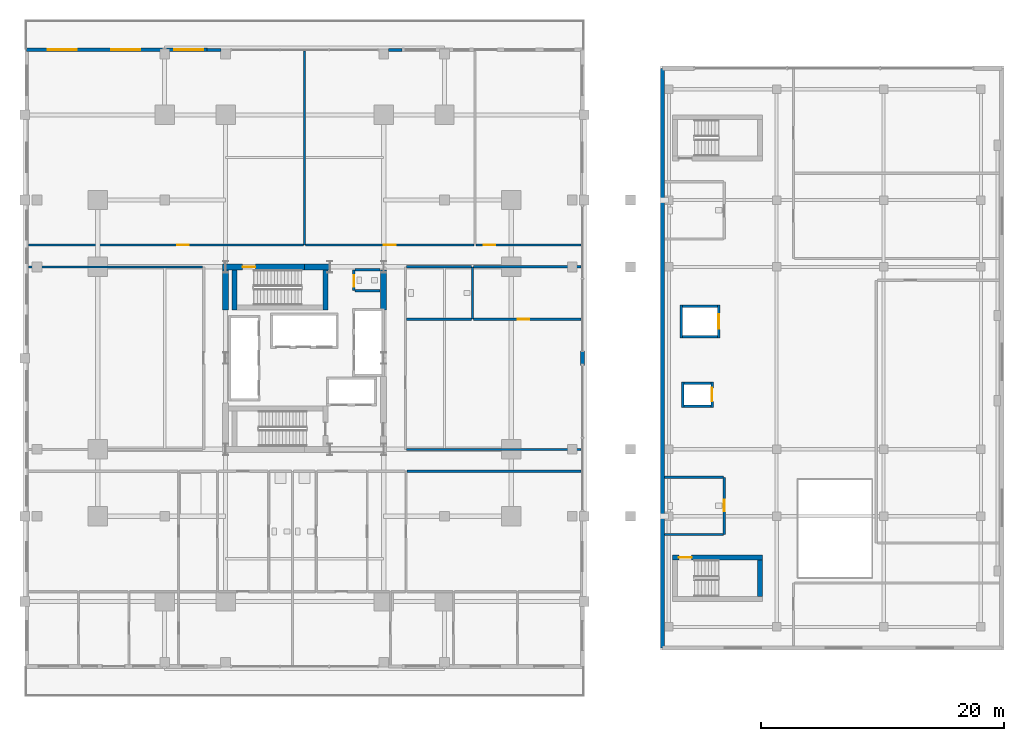
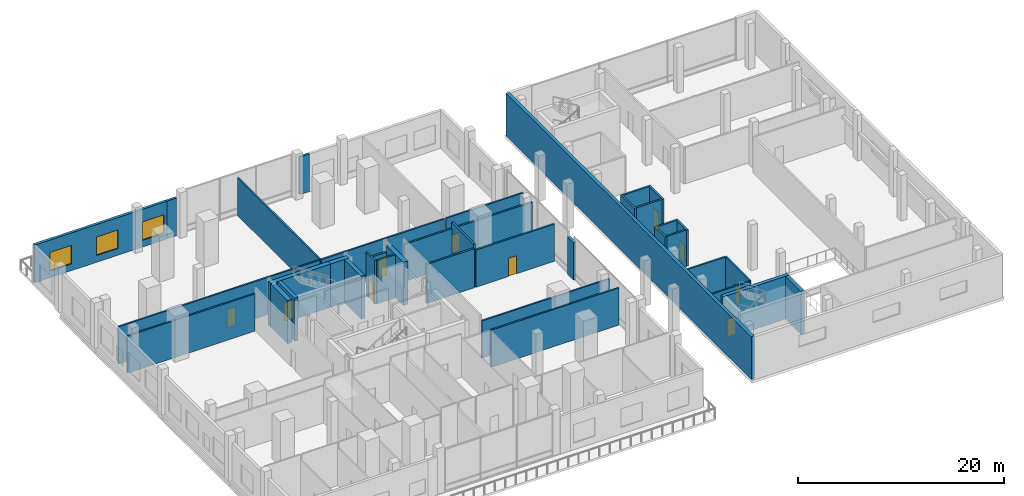
# One storey, part 23 of 32: 39 walls, 10 doors, 3 windows, 13 openings.
"""IFC4 building model written with IfcOpenShell, lengths in metres."""

from ifc_helpers import new_model, si_unit, direction, frame, frame_2d, origin, place, context, subcontext, project, spatial, rectangle, extrude, material, layer, layer_set, type_object, element, fill, save


model = new_model("IFC4")

# Units and contexts
model_context = context("Model", 3, precision=1e-05, world=origin(), true_north=direction((0.0, 1.0)))
body_context = subcontext(model_context, "Body", "Model", "MODEL_VIEW")
ifc_project = project(units=[si_unit("LENGTHUNIT", "METRE"), si_unit("AREAUNIT", "SQUARE_METRE"), si_unit("VOLUMEUNIT", "CUBIC_METRE"), si_unit("PLANEANGLEUNIT", "RADIAN"), si_unit("MASSUNIT", "GRAM", prefix="KILO")], contexts=[model_context])

# Site, building, storey
site_placement = place(None, origin())
site = spatial("IfcSite", under=ifc_project, at=site_placement, CompositionType="ELEMENT")
building_placement = place(site_placement, origin())
building = spatial("IfcBuilding", under=site, at=building_placement, Name="Barlavira Tower and Art Museum", CompositionType="ELEMENT")
storey_placement = place(building_placement, frame((0.0, 0.0, 6.0)))
storey = spatial("IfcBuildingStorey", under=building, at=storey_placement, Name="L01", CompositionType="ELEMENT", Elevation=6.0)

# Wall, opening, door
ifc_material_1 = material(Name="Concrete C60", Category="concrete")
ifc_layer_1 = layer(ifc_material_1, 0.5, Name="Concrete C60")
ifc_layer_set_1 = layer_set([ifc_layer_1], Name="Concrete C60")
wall_type_1 = type_object("IfcWallType", Name="Core Structural Shear Wall 500 Concrete C60", PredefinedType="SHEAR", material=ifc_layer_set_1)
wall_1_placement = place(storey_placement, frame((-6.75, 7.5, 0.0), z_axis=(0.0, 0.0, 1.0), x_axis=(1.0, 0.0, 0.0)))
wall_1 = element("IfcWall", 1, at=wall_1_placement, inside=storey, type_object=wall_type_1, Name="L01 Core Shear Wall CS-NW", PredefinedType="SHEAR", context=body_context, shape_type="SweptSolid", body=[
    extrude(rectangle(XDim=6.75, YDim=0.5, at=frame_2d((3.375, 0.0))), origin(), (0.0, 0.0, 1.0), 5.1201171875),
])
opening_1_placement = place(wall_1_placement, frame((1.64990234375, 0.0, 0.0)))
opening_1 = element("IfcOpeningElement", 2, at=opening_1_placement, cuts=wall_1, Name="Opening FD-90", PredefinedType="OPENING", context=body_context, shape_type="SweptSolid", body=[
    extrude(rectangle(XDim=1.050048828125, YDim=2.14990234375, at=frame_2d((0.52490234375, 1.074951171875))), frame((0.0, 0.260009765625, 0.0), z_axis=(0.0, -1.0, 0.0), x_axis=(1.0, 0.0, 0.0)), (0.0, 0.0, 1.0), 0.52001953125),
])
ifc_material_2 = material(Name="Brushed stainless steel", Category="steel")
door_type_1 = type_object("IfcDoorType", Name="Stair and Refuge Fire Door 1050x2150 FD90S", OperationType="NOTDEFINED", PredefinedType="DOOR", material=ifc_material_2)
door_1_placement = place(opening_1_placement, origin())
door_1 = element("IfcDoor", 3, at=door_1_placement, inside=storey, type_object=door_type_1, Name="L01 Stair ST-T2 Fire Door", OperationType="SINGLE_SWING_LEFT", OverallHeight=2.14990234375, OverallWidth=1.050048828125, PredefinedType="DOOR", context=body_context, shape_type="SweptSolid", body=[
    extrude(rectangle(XDim=1.050048828125, YDim=2.14990234375, at=frame_2d((0.52490234375, 1.074951171875))), frame((0.0, 0.02490234375, 0.0), z_axis=(0.0, -1.0, 0.0), x_axis=(1.0, 0.0, 0.0)), (0.0, 0.0, 1.0), 0.050048828125),
])
fill(opening_1, door_1)

# Walls
wall_2_placement = place(storey_placement, frame((0.0, 7.5, 0.0), z_axis=(0.0, 0.0, 1.0), x_axis=(1.0, 0.0, 0.0)))
element("IfcWall", 4, at=wall_2_placement, inside=storey, type_object=wall_type_1, Name="L01 Core Shear Wall CS-EN", PredefinedType="SHEAR", context=body_context, shape_type="SweptSolid", body=[
    extrude(rectangle(XDim=2.080078125, YDim=0.5, at=frame_2d((1.0400390625, 0.0))), origin(), (0.0, 0.0, 1.0), 5.1201171875),
])
for number, where, z_axis, x_axis, name in (
    (5, (-6.5, 3.949951171875, 0.0), (0.0, 0.0, 1.0), (0.0, 1.0, 0.0), "L01 Core Shear Wall CS-W2"),
    (6, (6.5, 3.949951171875, 0.0), (0.0, 0.0, 1.0), (0.0, 1.0, 0.0), "L01 Core Shear Wall CS-E2"),
):
    element("IfcWall", number, at=place(storey_placement, frame(where, z_axis=z_axis, x_axis=x_axis)), inside=storey, type_object=wall_type_1, Name=name, PredefinedType="SHEAR", context=body_context, shape_type="SweptSolid", body=[
        extrude(rectangle(XDim=3.300048828125, YDim=0.5, at=frame_2d((1.64990234375, 0.0))), origin(), (0.0, 0.0, 1.0), 5.1201171875),
    ])

# Wall, opening, door
ifc_material_3 = material(Name="Autoclaved aerated concrete masonry", Category="masonry")
ifc_layer_2 = layer(ifc_material_3, 0.199951171875, Name="Autoclaved aerated concrete masonry")
ifc_layer_set_2 = layer_set([ifc_layer_2], Name="Autoclaved aerated concrete masonry")
wall_type_2 = type_object("IfcWallType", Name="Fire Compartment and Shaft Wall 200", PredefinedType="SOLIDWALL", material=ifc_layer_set_2)
wall_3_placement = place(storey_placement, frame((33.5, -4.050048828125, 0.0), z_axis=(0.0, 0.0, 1.0), x_axis=(0.0, 1.0, 0.0)))
wall_3 = element("IfcWall", 7, at=wall_3_placement, inside=storey, type_object=wall_type_2, Name="L01 Museum Lift ML1 Front Wall", PredefinedType="SOLIDWALL", context=body_context, shape_type="SweptSolid", body=[
    extrude(rectangle(XDim=2.10009765625, YDim=0.199951171875, at=frame_2d((1.050048828125, 0.0))), origin(), (0.0, 0.0, 1.0), 4.297119140625),
])
opening_2_placement = place(wall_3_placement, frame((0.5, 0.0, 0.0)))
opening_2 = element("IfcOpeningElement", 8, at=opening_2_placement, cuts=wall_3, Name="Opening LD-P", PredefinedType="OPENING", context=body_context, shape_type="SweptSolid", body=[
    extrude(rectangle(XDim=1.10009765625, YDim=2.14990234375, at=frame_2d((0.550048828125, 1.074951171875))), frame((0.0, 0.10986328125, 0.0), z_axis=(0.0, -1.0, 0.0), x_axis=(1.0, 0.0, 0.0)), (0.0, 0.0, 1.0), 0.219970703125),
])
door_type_2 = type_object("IfcDoorType", Name="Passenger Lift Sliding Landing Door 1100x2150 FD60", OperationType="NOTDEFINED", PredefinedType="DOOR", material=ifc_material_2)
door_2_placement = place(opening_2_placement, origin())
door_2 = element("IfcDoor", 9, at=door_2_placement, inside=storey, type_object=door_type_2, Name="L01 Museum Lift ML1 Sliding Landing Door", OperationType="DOUBLE_DOOR_SLIDING", OverallHeight=2.14990234375, OverallWidth=1.10009765625, PredefinedType="DOOR", context=body_context, shape_type="SweptSolid", body=[
    extrude(rectangle(XDim=1.10009765625, YDim=2.14990234375, at=frame_2d((0.550048828125, 1.074951171875))), frame((0.0, 0.02490234375, 0.0), z_axis=(0.0, -1.0, 0.0), x_axis=(1.0, 0.0, 0.0)), (0.0, 0.0, 1.0), 0.050048828125),
])
fill(opening_2, door_2)

# Walls
wall_4_placement = place(storey_placement, frame((31.10009765625, -4.050048828125, 0.0), z_axis=(0.0, 0.0, 1.0), x_axis=(0.0, 1.0, 0.0)))
element("IfcWall", 10, at=wall_4_placement, inside=storey, type_object=wall_type_2, Name="L01 Museum Lift ML1 Back Wall", PredefinedType="SOLIDWALL", context=body_context, shape_type="SweptSolid", body=[
    extrude(rectangle(XDim=2.10009765625, YDim=0.199951171875, at=frame_2d((1.050048828125, 0.0))), origin(), (0.0, 0.0, 1.0), 4.297119140625),
])
for number, where, z_axis, x_axis, name in (
    (11, (31.199951171875, -3.949951171875, 0.0), (0.0, 0.0, 1.0), (1.0, 0.0, 0.0), "L01 Museum Lift ML1 South Wall"),
    (12, (31.199951171875, -2.050048828125, 0.0), (0.0, 0.0, 1.0), (1.0, 0.0, 0.0), "L01 Museum Lift ML1 North Wall"),
):
    element("IfcWall", number, at=place(storey_placement, frame(where, z_axis=z_axis, x_axis=x_axis)), inside=storey, type_object=wall_type_2, Name=name, PredefinedType="SOLIDWALL", context=body_context, shape_type="SweptSolid", body=[
        extrude(rectangle(XDim=2.199951171875, YDim=0.199951171875, at=frame_2d((1.10009765625, 0.0))), origin(), (0.0, 0.0, 1.0), 4.297119140625),
    ])

# Wall, opening, door
wall_5_placement = place(storey_placement, frame((34.050048828125, 1.64990234375, 0.0), z_axis=(0.0, 0.0, 1.0), x_axis=(0.0, 1.0, 0.0)))
wall_5 = element("IfcWall", 13, at=wall_5_placement, inside=storey, type_object=wall_type_2, Name="L01 Museum Lift MG1 Front Wall", PredefinedType="SOLIDWALL", context=body_context, shape_type="SweptSolid", body=[
    extrude(rectangle(XDim=2.7001953125, YDim=0.199951171875, at=frame_2d((1.35009765625, 0.0))), origin(), (0.0, 0.0, 1.0), 4.297119140625),
])
opening_3_placement = place(wall_5_placement, frame((0.75, 0.0, 0.0)))
opening_3 = element("IfcOpeningElement", 14, at=opening_3_placement, cuts=wall_5, Name="Opening LD-F", PredefinedType="OPENING", context=body_context, shape_type="SweptSolid", body=[
    extrude(rectangle(XDim=1.199951171875, YDim=2.199951171875, at=frame_2d((0.60009765625, 1.10009765625))), frame((0.0, 0.10986328125, 0.0), z_axis=(0.0, -1.0, 0.0), x_axis=(1.0, 0.0, 0.0)), (0.0, 0.0, 1.0), 0.219970703125),
])
door_type_3 = type_object("IfcDoorType", Name="Firefighting and Service Lift Sliding Door 1200x2200 FD120", OperationType="NOTDEFINED", PredefinedType="DOOR", material=ifc_material_2)
door_3_placement = place(opening_3_placement, origin())
door_3 = element("IfcDoor", 15, at=door_3_placement, inside=storey, type_object=door_type_3, Name="L01 Museum Lift MG1 Sliding Landing Door", OperationType="DOUBLE_DOOR_SLIDING", OverallHeight=2.199951171875, OverallWidth=1.199951171875, PredefinedType="DOOR", context=body_context, shape_type="SweptSolid", body=[
    extrude(rectangle(XDim=1.199951171875, YDim=2.199951171875, at=frame_2d((0.60009765625, 1.10009765625))), frame((0.0, 0.02490234375, 0.0), z_axis=(0.0, -1.0, 0.0), x_axis=(1.0, 0.0, 0.0)), (0.0, 0.0, 1.0), 0.050048828125),
])
fill(opening_3, door_3)

# Walls
wall_6_placement = place(storey_placement, frame((30.949951171875, 1.64990234375, 0.0), z_axis=(0.0, 0.0, 1.0), x_axis=(0.0, 1.0, 0.0)))
element("IfcWall", 16, at=wall_6_placement, inside=storey, type_object=wall_type_2, Name="L01 Museum Lift MG1 Back Wall", PredefinedType="SOLIDWALL", context=body_context, shape_type="SweptSolid", body=[
    extrude(rectangle(XDim=2.7001953125, YDim=0.199951171875, at=frame_2d((1.35009765625, 0.0))), origin(), (0.0, 0.0, 1.0), 4.297119140625),
])
for number, where, z_axis, x_axis, name in (
    (17, (31.050048828125, 1.75, 0.0), (0.0, 0.0, 1.0), (1.0, 0.0, 0.0), "L01 Museum Lift MG1 South Wall"),
    (18, (31.050048828125, 4.25, 0.0), (0.0, 0.0, 1.0), (1.0, 0.0, 0.0), "L01 Museum Lift MG1 North Wall"),
):
    element("IfcWall", number, at=place(storey_placement, frame(where, z_axis=z_axis, x_axis=x_axis)), inside=storey, type_object=wall_type_2, Name=name, PredefinedType="SOLIDWALL", context=body_context, shape_type="SweptSolid", body=[
        extrude(rectangle(XDim=2.89990234375, YDim=0.199951171875, at=frame_2d((1.449951171875, 0.0))), origin(), (0.0, 0.0, 1.0), 4.297119140625),
    ])

# Wall, opening, door
wall_7_placement = place(storey_placement, frame((4.050048828125, 5.550048828125, 0.0), z_axis=(0.0, 0.0, 1.0), x_axis=(0.0, 1.0, 0.0)))
wall_7 = element("IfcWall", 19, at=wall_7_placement, inside=storey, type_object=wall_type_2, Name="L01 Partition Wall 10", PredefinedType="SOLIDWALL", context=body_context, shape_type="SweptSolid", body=[
    extrude(rectangle(XDim=1.699951171875, YDim=0.199951171875, at=frame_2d((0.85009765625, 0.0))), origin(), (0.0, 0.0, 1.0), 5.1201171875),
])
opening_4_placement = place(wall_7_placement, frame((0.324951171875, 0.0, 0.0)))
opening_4 = element("IfcOpeningElement", 20, at=opening_4_placement, cuts=wall_7, Name="Opening FD-60", PredefinedType="OPENING", context=body_context, shape_type="SweptSolid", body=[
    extrude(rectangle(XDim=0.949951171875, YDim=2.14990234375, at=frame_2d((0.47509765625, 1.074951171875))), frame((0.0, 0.10986328125, 0.0), z_axis=(0.0, -1.0, 0.0), x_axis=(1.0, 0.0, 0.0)), (0.0, 0.0, 1.0), 0.219970703125),
])
door_type_4 = type_object("IfcDoorType", Name="Apartment Entrance and Riser Fire Door 950x2150 FD60S", OperationType="NOTDEFINED", PredefinedType="DOOR", material=ifc_material_2)
door_4_placement = place(opening_4_placement, origin())
door_4 = element("IfcDoor", 21, at=door_4_placement, inside=storey, type_object=door_type_4, Name="Core Accessible Washroom Door", OperationType="SINGLE_SWING_RIGHT", OverallHeight=2.14990234375, OverallWidth=0.949951171875, PredefinedType="DOOR", context=body_context, shape_type="SweptSolid", body=[
    extrude(rectangle(XDim=0.949951171875, YDim=2.14990234375, at=frame_2d((0.47509765625, 1.074951171875))), frame((0.0, 0.02490234375, 0.0), z_axis=(0.0, -1.0, 0.0), x_axis=(1.0, 0.0, 0.0)), (0.0, 0.0, 1.0), 0.050048828125),
])
fill(opening_4, door_4)

# Walls
wall_8_placement = place(storey_placement, frame((13.800048828125, 3.199951171875, 0.0), z_axis=(0.0, 0.0, 1.0), x_axis=(0.0, 1.0, 0.0)))
element("IfcWall", 22, at=wall_8_placement, inside=storey, type_object=wall_type_2, Name="L01 Partition Wall 16", PredefinedType="SOLIDWALL", context=body_context, shape_type="SweptSolid", body=[
    extrude(rectangle(XDim=4.300048828125, YDim=0.199951171875, at=frame_2d((2.14990234375, 0.0))), origin(), (0.0, 0.0, 1.0), 5.1201171875),
])
wall_9_placement = place(storey_placement, frame((8.3798828125, 3.199951171875, 0.0), z_axis=(0.0, 0.0, 1.0), x_axis=(1.0, 0.0, 0.0)))
element("IfcWall", 23, at=wall_9_placement, inside=storey, type_object=wall_type_2, Name="L01 Partition Wall 51", PredefinedType="SOLIDWALL", context=body_context, shape_type="SweptSolid", body=[
    extrude(rectangle(XDim=5.340087890625, YDim=0.199951171875, at=frame_2d((2.669921875, 0.0))), origin(), (0.0, 0.0, 1.0), 4.64208984375),
])

# Wall, opening, door
wall_10_placement = place(storey_placement, frame((13.8798828125, 3.199951171875, 0.0), z_axis=(0.0, 0.0, 1.0), x_axis=(1.0, 0.0, 0.0)))
wall_10 = element("IfcWall", 24, at=wall_10_placement, inside=storey, type_object=wall_type_2, Name="L01 Partition Wall 52", PredefinedType="SOLIDWALL", context=body_context, shape_type="SweptSolid", body=[
    extrude(rectangle(XDim=8.855224609375, YDim=0.199951171875, at=frame_2d((4.427734375, 0.0))), origin(), (0.0, 0.0, 1.0), 4.409912109375),
])
opening_5_placement = place(wall_10_placement, frame((3.64501953125, 0.0, 0.0)))
opening_5 = element("IfcOpeningElement", 25, at=opening_5_placement, cuts=wall_10, Name="Opening FD-60", PredefinedType="OPENING", context=body_context, shape_type="SweptSolid", body=[
    extrude(rectangle(XDim=0.949951171875, YDim=2.14990234375, at=frame_2d((0.47509765625, 1.074951171875))), frame((0.0, 0.10986328125, 0.0), z_axis=(0.0, -1.0, 0.0), x_axis=(1.0, 0.0, 0.0)), (0.0, 0.0, 1.0), 0.219970703125),
])
door_5_placement = place(opening_5_placement, origin())
door_5 = element("IfcDoor", 26, at=door_5_placement, inside=storey, type_object=door_type_4, Name="L01 Podium Amenity Store Door", OperationType="SINGLE_SWING_LEFT", OverallHeight=2.14990234375, OverallWidth=0.949951171875, PredefinedType="DOOR", context=body_context, shape_type="SweptSolid", body=[
    extrude(rectangle(XDim=0.949951171875, YDim=2.14990234375, at=frame_2d((0.47509765625, 1.074951171875))), frame((0.0, 0.02490234375, 0.0), z_axis=(0.0, -1.0, 0.0), x_axis=(1.0, 0.0, 0.0)), (0.0, 0.0, 1.0), 0.050048828125),
])
fill(opening_5, door_5)

# Walls
wall_11_placement = place(storey_placement, frame((4.1298828125, 5.550048828125, 0.0), z_axis=(0.0, 0.0, 1.0), x_axis=(1.0, 0.0, 0.0)))
element("IfcWall", 27, at=wall_11_placement, inside=storey, type_object=wall_type_2, Name="L01 Partition Wall 53", PredefinedType="SOLIDWALL", context=body_context, shape_type="SweptSolid", body=[
    extrude(rectangle(XDim=2.070068359375, YDim=0.199951171875, at=frame_2d((1.03515625, 0.0))), origin(), (0.0, 0.0, 1.0), 5.1201171875),
])
wall_12_placement = place(storey_placement, frame((4.1298828125, 7.25, 0.0), z_axis=(0.0, 0.0, 1.0), x_axis=(1.0, 0.0, 0.0)))
element("IfcWall", 28, at=wall_12_placement, inside=storey, type_object=wall_type_2, Name="L01 Partition Wall 55", PredefinedType="SOLIDWALL", context=body_context, shape_type="SweptSolid", body=[
    extrude(rectangle(XDim=2.070068359375, YDim=0.199951171875, at=frame_2d((1.03515625, 0.0))), origin(), (0.0, 0.0, 1.0), 4.409912109375),
])
wall_13_placement = place(storey_placement, frame((8.3798828125, 7.5, 0.0), z_axis=(0.0, 0.0, 1.0), x_axis=(1.0, 0.0, 0.0)))
element("IfcWall", 29, at=wall_13_placement, inside=storey, type_object=wall_type_2, Name="L01 Partition Wall 57", PredefinedType="SOLIDWALL", context=body_context, shape_type="SweptSolid", body=[
    extrude(rectangle(XDim=5.340087890625, YDim=0.199951171875, at=frame_2d((2.669921875, 0.0))), origin(), (0.0, 0.0, 1.0), 4.409912109375),
])
wall_14_placement = place(storey_placement, frame((13.8798828125, 7.5, 0.0), z_axis=(0.0, 0.0, 1.0), x_axis=(1.0, 0.0, 0.0)))
element("IfcWall", 30, at=wall_14_placement, inside=storey, type_object=wall_type_2, Name="L01 Partition Wall 58", PredefinedType="SOLIDWALL", context=body_context, shape_type="SweptSolid", body=[
    extrude(rectangle(XDim=8.855224609375, YDim=0.199951171875, at=frame_2d((4.427734375, 0.0))), origin(), (0.0, 0.0, 1.0), 4.409912109375),
])
ifc_material_4 = material(Name="Gypsum acoustic stud partition", Category="gypsum")
ifc_layer_3 = layer(ifc_material_4, 0.179931640625, Name="Gypsum acoustic stud partition")
ifc_layer_set_3 = layer_set([ifc_layer_3], Name="Gypsum acoustic stud partition")
wall_type_3 = type_object("IfcWallType", Name="Inter-Tenancy Party Partition Wall 180", PredefinedType="PARTITIONING", material=ifc_layer_set_3)
wall_15_placement = place(storey_placement, frame((0.0, 9.300048828125, 0.0), z_axis=(0.0, 0.0, 1.0), x_axis=(0.0, 1.0, 0.0)))
element("IfcWall", 31, at=wall_15_placement, inside=storey, type_object=wall_type_3, Name="L01 Partition Wall 8", PredefinedType="PARTITIONING", context=body_context, shape_type="SweptSolid", body=[
    extrude(rectangle(XDim=15.954833984375, YDim=0.179931640625, at=frame_2d((7.9775390625, 0.0))), origin(), (0.0, 0.0, 1.0), 4.47607421875),
])

# Wall, opening, door
wall_16_placement = place(storey_placement, frame((34.5, -14.5, 0.0), z_axis=(0.0, 0.0, 1.0), x_axis=(0.0, 1.0, 0.0)))
wall_16 = element("IfcWall", 32, at=wall_16_placement, inside=storey, type_object=wall_type_3, Name="L01 Partition Wall 19", PredefinedType="PARTITIONING", context=body_context, shape_type="SweptSolid", body=[
    extrude(rectangle(XDim=4.699951171875, YDim=0.179931640625, at=frame_2d((2.35009765625, 0.0))), origin(), (0.0, 0.0, 1.0), 4.297119140625),
])
opening_6_placement = place(wall_16_placement, frame((1.925048828125, 0.0, 0.0)))
opening_6 = element("IfcOpeningElement", 33, at=opening_6_placement, cuts=wall_16, Name="Opening FD-60", PredefinedType="OPENING", context=body_context, shape_type="SweptSolid", body=[
    extrude(rectangle(XDim=0.949951171875, YDim=2.14990234375, at=frame_2d((0.47509765625, 1.074951171875))), frame((0.0, 0.10009765625, 0.0), z_axis=(0.0, -1.0, 0.0), x_axis=(1.0, 0.0, 0.0)), (0.0, 0.0, 1.0), 0.199951171875),
])
door_6_placement = place(opening_6_placement, origin())
door_6 = element("IfcDoor", 34, at=door_6_placement, inside=storey, type_object=door_type_4, Name="L01 Museum Accessible Restroom Door", OperationType="SINGLE_SWING_LEFT", OverallHeight=2.14990234375, OverallWidth=0.949951171875, PredefinedType="DOOR", context=body_context, shape_type="SweptSolid", body=[
    extrude(rectangle(XDim=0.949951171875, YDim=2.14990234375, at=frame_2d((0.47509765625, 1.074951171875))), frame((0.0, 0.02490234375, 0.0), z_axis=(0.0, -1.0, 0.0), x_axis=(1.0, 0.0, 0.0)), (0.0, 0.0, 1.0), 0.050048828125),
])
fill(opening_6, door_6)

# Walls
wall_17_placement = place(storey_placement, frame((29.60498046875, -14.5, 0.0), z_axis=(0.0, 0.0, 1.0), x_axis=(1.0, 0.0, 0.0)))
element("IfcWall", 35, at=wall_17_placement, inside=storey, type_object=wall_type_3, Name="L01 Partition Wall 39", PredefinedType="PARTITIONING", context=body_context, shape_type="SweptSolid", body=[
    extrude(rectangle(XDim=4.81494140625, YDim=0.179931640625, at=frame_2d((2.407470703125, 0.0))), origin(), (0.0, 0.0, 1.0), 4.214111328125),
])
wall_18_placement = place(storey_placement, frame((29.60498046875, -9.800048828125, 0.0), z_axis=(0.0, 0.0, 1.0), x_axis=(1.0, 0.0, 0.0)))
element("IfcWall", 36, at=wall_18_placement, inside=storey, type_object=wall_type_3, Name="L01 Partition Wall 40", PredefinedType="PARTITIONING", context=body_context, shape_type="SweptSolid", body=[
    extrude(rectangle(XDim=4.81494140625, YDim=0.179931640625, at=frame_2d((2.407470703125, 0.0))), origin(), (0.0, 0.0, 1.0), 4.297119140625),
])
wall_19_placement = place(storey_placement, frame((8.429931640625, -9.300048828125, 0.0), z_axis=(0.0, 0.0, 1.0), x_axis=(1.0, 0.0, 0.0)))
element("IfcWall", 37, at=wall_19_placement, inside=storey, type_object=wall_type_3, Name="L01 Partition Wall 48", PredefinedType="PARTITIONING", context=body_context, shape_type="SweptSolid", body=[
    extrude(rectangle(XDim=14.30517578125, YDim=0.179931640625, at=frame_2d((7.152587890625, 0.0))), origin(), (0.0, 0.0, 1.0), 4.409912109375),
])
wall_20_placement = place(storey_placement, frame((8.3798828125, -7.5, 0.0), z_axis=(0.0, 0.0, 1.0), x_axis=(1.0, 0.0, 0.0)))
element("IfcWall", 38, at=wall_20_placement, inside=storey, type_object=wall_type_3, Name="L01 Partition Wall 50", PredefinedType="PARTITIONING", context=body_context, shape_type="SweptSolid", body=[
    extrude(rectangle(XDim=14.355224609375, YDim=0.179931640625, at=frame_2d((7.177734375, 0.0))), origin(), (0.0, 0.0, 1.0), 4.409912109375),
])
wall_21_placement = place(storey_placement, frame((-22.695068359375, 7.5, 0.0), z_axis=(0.0, 0.0, 1.0), x_axis=(1.0, 0.0, 0.0)))
element("IfcWall", 39, at=wall_21_placement, inside=storey, type_object=wall_type_3, Name="L01 Partition Wall 56", PredefinedType="PARTITIONING", context=body_context, shape_type="SweptSolid", body=[
    extrude(rectangle(XDim=14.315185546875, YDim=0.179931640625, at=frame_2d((7.15771484375, 0.0))), origin(), (0.0, 0.0, 1.0), 4.409912109375),
])

# Wall, opening, door
wall_22_placement = place(storey_placement, frame((-22.695068359375, 9.300048828125, 0.0), z_axis=(0.0, 0.0, 1.0), x_axis=(1.0, 0.0, 0.0)))
wall_22 = element("IfcWall", 40, at=wall_22_placement, inside=storey, type_object=wall_type_3, Name="L01 Partition Wall 60", PredefinedType="PARTITIONING", context=body_context, shape_type="SweptSolid", body=[
    extrude(rectangle(XDim=22.614990234375, YDim=0.179931640625, at=frame_2d((11.3076171875, 0.0))), origin(), (0.0, 0.0, 1.0), 4.409912109375),
])
opening_7_placement = place(wall_22_placement, frame((12.219970703125, 0.0, 0.0)))
opening_7 = element("IfcOpeningElement", 41, at=opening_7_placement, cuts=wall_22, Name="Opening FD-60", PredefinedType="OPENING", context=body_context, shape_type="SweptSolid", body=[
    extrude(rectangle(XDim=0.949951171875, YDim=2.14990234375, at=frame_2d((0.47509765625, 1.074951171875))), frame((0.0, 0.10009765625, 0.0), z_axis=(0.0, -1.0, 0.0), x_axis=(1.0, 0.0, 0.0)), (0.0, 0.0, 1.0), 0.199951171875),
])
door_7_placement = place(opening_7_placement, origin())
door_7 = element("IfcDoor", 42, at=door_7_placement, inside=storey, type_object=door_type_4, Name="Resident Co-Working Studio Door", OperationType="SINGLE_SWING_LEFT", OverallHeight=2.14990234375, OverallWidth=0.949951171875, PredefinedType="DOOR", context=body_context, shape_type="SweptSolid", body=[
    extrude(rectangle(XDim=0.949951171875, YDim=2.14990234375, at=frame_2d((0.47509765625, 1.074951171875))), frame((0.0, 0.02490234375, 0.0), z_axis=(0.0, -1.0, 0.0), x_axis=(1.0, 0.0, 0.0)), (0.0, 0.0, 1.0), 0.050048828125),
])
fill(opening_7, door_7)

wall_23_placement = place(storey_placement, frame((0.080078125, 9.300048828125, 0.0), z_axis=(0.0, 0.0, 1.0), x_axis=(1.0, 0.0, 0.0)))
wall_23 = element("IfcWall", 43, at=wall_23_placement, inside=storey, type_object=wall_type_3, Name="L01 Partition Wall 61", PredefinedType="PARTITIONING", context=body_context, shape_type="SweptSolid", body=[
    extrude(rectangle(XDim=13.83984375, YDim=0.179931640625, at=frame_2d((6.919921875, 0.0))), origin(), (0.0, 0.0, 1.0), 4.409912109375),
])
opening_8_placement = place(wall_23_placement, frame((6.445068359375, 0.0, 0.0)))
opening_8 = element("IfcOpeningElement", 44, at=opening_8_placement, cuts=wall_23, Name="Opening FD-60", PredefinedType="OPENING", context=body_context, shape_type="SweptSolid", body=[
    extrude(rectangle(XDim=0.949951171875, YDim=2.14990234375, at=frame_2d((0.47509765625, 1.074951171875))), frame((0.0, 0.10009765625, 0.0), z_axis=(0.0, -1.0, 0.0), x_axis=(1.0, 0.0, 0.0)), (0.0, 0.0, 1.0), 0.199951171875),
])
door_8_placement = place(opening_8_placement, origin())
door_8 = element("IfcDoor", 45, at=door_8_placement, inside=storey, type_object=door_type_4, Name="Podium Conference Boardroom Door", OperationType="SINGLE_SWING_RIGHT", OverallHeight=2.14990234375, OverallWidth=0.949951171875, PredefinedType="DOOR", context=body_context, shape_type="SweptSolid", body=[
    extrude(rectangle(XDim=0.949951171875, YDim=2.14990234375, at=frame_2d((0.47509765625, 1.074951171875))), frame((0.0, 0.02490234375, 0.0), z_axis=(0.0, -1.0, 0.0), x_axis=(1.0, 0.0, 0.0)), (0.0, 0.0, 1.0), 0.050048828125),
])
fill(opening_8, door_8)

wall_24_placement = place(storey_placement, frame((14.080078125, 9.300048828125, 0.0), z_axis=(0.0, 0.0, 1.0), x_axis=(1.0, 0.0, 0.0)))
wall_24 = element("IfcWall", 46, at=wall_24_placement, inside=storey, type_object=wall_type_3, Name="L01 Partition Wall 62", PredefinedType="PARTITIONING", context=body_context, shape_type="SweptSolid", body=[
    extrude(rectangle(XDim=8.655029296875, YDim=0.179931640625, at=frame_2d((4.32763671875, 0.0))), origin(), (0.0, 0.0, 1.0), 4.409912109375),
])
opening_9_placement = place(wall_24_placement, frame((0.64501953125, 0.0, 0.0)))
opening_9 = element("IfcOpeningElement", 47, at=opening_9_placement, cuts=wall_24, Name="Opening FD-60", PredefinedType="OPENING", context=body_context, shape_type="SweptSolid", body=[
    extrude(rectangle(XDim=0.949951171875, YDim=2.14990234375, at=frame_2d((0.47509765625, 1.074951171875))), frame((0.0, 0.10009765625, 0.0), z_axis=(0.0, -1.0, 0.0), x_axis=(1.0, 0.0, 0.0)), (0.0, 0.0, 1.0), 0.199951171875),
])
door_9_placement = place(opening_9_placement, origin())
door_9 = element("IfcDoor", 48, at=door_9_placement, inside=storey, type_object=door_type_4, Name="Shared Podium Business Pantry Door", OperationType="SINGLE_SWING_LEFT", OverallHeight=2.14990234375, OverallWidth=0.949951171875, PredefinedType="DOOR", context=body_context, shape_type="SweptSolid", body=[
    extrude(rectangle(XDim=0.949951171875, YDim=2.14990234375, at=frame_2d((0.47509765625, 1.074951171875))), frame((0.0, 0.02490234375, 0.0), z_axis=(0.0, -1.0, 0.0), x_axis=(1.0, 0.0, 0.0)), (0.0, 0.0, 1.0), 0.050048828125),
])
fill(opening_9, door_9)

# Walls
ifc_material_5 = material(Name="Precast concrete C40", Category="concrete")
ifc_layer_4 = layer(ifc_material_5, 0.35009765625, Name="Precast concrete C40")
ifc_layer_set_4 = layer_set([ifc_layer_4], Name="Precast concrete C40")
wall_type_4 = type_object("IfcWallType", Name="Museum Board-Formed Concrete Facade Wall 350 Concrete C40", PredefinedType="SOLIDWALL", material=ifc_layer_set_4)
wall_25_placement = place(storey_placement, frame((29.425048828125, 23.824951171875, 0.0), z_axis=(0.0, 0.0, 1.0), x_axis=(0.0, -1.0, 0.0)))
element("IfcWall", 49, at=wall_25_placement, inside=storey, type_object=wall_type_4, Name="L01 Museum West Arcade Wall", PredefinedType="SOLIDWALL", context=body_context, shape_type="SweptSolid", body=[
    extrude(rectangle(XDim=47.64990234375, YDim=0.35009765625, at=frame_2d((23.824951171875, 0.0))), origin(), (0.0, 0.0, 1.0), 5.080078125),
])
ifc_layer_5 = layer(ifc_material_5, 0.25, Name="Precast concrete C40")
ifc_layer_set_5 = layer_set([ifc_layer_5], Name="Precast concrete C40")
wall_type_5 = type_object("IfcWallType", Name="Notched Corner Spandrel Wall 250 Precast Concrete C40", PredefinedType="SOLIDWALL", material=ifc_layer_set_5)
for number, where, z_axis, x_axis, name in (
    (50, (8.02490234375, 25.35009765625, 0.0), (0.0, 0.0, 1.0), (-1.0, 0.0, 0.0), "L01 Coastal Facade Pier Wall CW1-L01-N-1"),
    (51, (-6.89501953125, 25.35009765625, 0.0), (0.0, 0.0, 1.0), (-1.0, 0.0, 0.0), "L01 Coastal Facade Pier Wall CW1-L01-N-3"),
):
    element("IfcWall", number, at=place(storey_placement, frame(where, z_axis=z_axis, x_axis=x_axis)), inside=storey, type_object=wall_type_5, Name=name, PredefinedType="SOLIDWALL", context=body_context, shape_type="SweptSolid", body=[
        extrude(rectangle(XDim=1.1298828125, YDim=0.25, at=frame_2d((0.56494140625, 0.0))), origin(), (0.0, 0.0, 1.0), 4.47607421875),
    ])
ifc_layer_6 = layer(ifc_material_5, 0.300048828125, Name="Precast concrete C40")
ifc_layer_set_6 = layer_set([ifc_layer_6], Name="Precast concrete C40")
wall_type_6 = type_object("IfcWallType", Name="Podium Architectural Precast Facade Wall 300 Concrete C40", PredefinedType="SOLIDWALL", material=ifc_layer_set_6)
wall_26_placement = place(storey_placement, frame((22.85009765625, -0.60009765625, 0.0), z_axis=(0.0, 0.0, 1.0), x_axis=(0.0, 1.0, 0.0)))
element("IfcWall", 52, at=wall_26_placement, inside=storey, type_object=wall_type_6, Name="L01 Podium Arcade Central Pier Wall", PredefinedType="SOLIDWALL", context=body_context, shape_type="SweptSolid", body=[
    extrude(rectangle(XDim=1.2001953125, YDim=0.300048828125, at=frame_2d((0.60009765625, 0.0))), origin(), (0.0, 0.0, 1.0), 4.47607421875),
])

# Wall, openings, windows
wall_27_placement = place(storey_placement, frame((-22.85009765625, 25.35009765625, 0.0), z_axis=(0.0, 0.0, 1.0), x_axis=(1.0, 0.0, 0.0)))
wall_27 = element("IfcWall", 53, at=wall_27_placement, inside=storey, type_object=wall_type_6, Name="L01 Podium North-West Wall", PredefinedType="SOLIDWALL", context=body_context, shape_type="SweptSolid", body=[
    extrude(rectangle(XDim=14.85009765625, YDim=0.300048828125, at=frame_2d((7.425048828125, 0.0))), origin(), (0.0, 0.0, 1.0), 4.47607421875),
])
opening_10_placement = place(wall_27_placement, frame((1.719970703125, 0.0, 0.800048828125)))
opening_10 = element("IfcOpeningElement", 54, at=opening_10_placement, cuts=wall_27, Name="Opening WN-02", PredefinedType="OPENING", context=body_context, shape_type="SweptSolid", body=[
    extrude(rectangle(XDim=2.39990234375, YDim=2.199951171875, at=frame_2d((1.199951171875, 1.10009765625))), frame((0.0, 0.16015625, 0.0), z_axis=(0.0, -1.0, 0.0), x_axis=(1.0, 0.0, 0.0)), (0.0, 0.0, 1.0), 0.320068359375),
])
opening_11_placement = place(wall_27_placement, frame((6.93994140625, 0.0, 0.800048828125)))
opening_11 = element("IfcOpeningElement", 55, at=opening_11_placement, cuts=wall_27, Name="Opening WN-02", PredefinedType="OPENING", context=body_context, shape_type="SweptSolid", body=[
    extrude(rectangle(XDim=2.39990234375, YDim=2.199951171875, at=frame_2d((1.199951171875, 1.10009765625))), frame((0.0, 0.16015625, 0.0), z_axis=(0.0, -1.0, 0.0), x_axis=(1.0, 0.0, 0.0)), (0.0, 0.0, 1.0), 0.320068359375),
])
opening_12_placement = place(wall_27_placement, frame((12.1201171875, 0.0, 0.800048828125)))
opening_12 = element("IfcOpeningElement", 56, at=opening_12_placement, cuts=wall_27, Name="Opening WN-02", PredefinedType="OPENING", context=body_context, shape_type="SweptSolid", body=[
    extrude(rectangle(XDim=2.39990234375, YDim=2.199951171875, at=frame_2d((1.199951171875, 1.10009765625))), frame((0.0, 0.16015625, 0.0), z_axis=(0.0, -1.0, 0.0), x_axis=(1.0, 0.0, 0.0)), (0.0, 0.0, 1.0), 0.320068359375),
])
ifc_material_6 = material(Name="Low-iron coastal laminated glass", Category="glass")
window_type = type_object("IfcWindowType", Name="Podium Garden Gallery Window 2400x2200", PartitioningType="SINGLE_PANEL", PredefinedType="WINDOW", material=ifc_material_6)
window_1_placement = place(opening_10_placement, origin())
window_1 = element("IfcWindow", 57, at=window_1_placement, inside=storey, type_object=window_type, Name="L01 Punched Facade Window EW-L01-NW-1", OverallHeight=2.199951171875, OverallWidth=2.39990234375, PartitioningType="SINGLE_PANEL", PredefinedType="WINDOW", context=body_context, shape_type="SweptSolid", body=[
    extrude(rectangle(XDim=2.39990234375, YDim=2.199951171875, at=frame_2d((1.199951171875, 1.10009765625))), frame((0.0, 0.030029296875, 0.0), z_axis=(0.0, -1.0, 0.0), x_axis=(1.0, 0.0, 0.0)), (0.0, 0.0, 1.0), 0.06005859375),
])
fill(opening_10, window_1)
window_2_placement = place(opening_11_placement, origin())
window_2 = element("IfcWindow", 58, at=window_2_placement, inside=storey, type_object=window_type, Name="L01 Punched Facade Window EW-L01-NW-2", OverallHeight=2.199951171875, OverallWidth=2.39990234375, PartitioningType="SINGLE_PANEL", PredefinedType="WINDOW", context=body_context, shape_type="SweptSolid", body=[
    extrude(rectangle(XDim=2.39990234375, YDim=2.199951171875, at=frame_2d((1.199951171875, 1.10009765625))), frame((0.0, 0.030029296875, 0.0), z_axis=(0.0, -1.0, 0.0), x_axis=(1.0, 0.0, 0.0)), (0.0, 0.0, 1.0), 0.06005859375),
])
fill(opening_11, window_2)
window_3_placement = place(opening_12_placement, origin())
window_3 = element("IfcWindow", 59, at=window_3_placement, inside=storey, type_object=window_type, Name="L01 Punched Facade Window EW-L01-NW-3", OverallHeight=2.199951171875, OverallWidth=2.39990234375, PartitioningType="SINGLE_PANEL", PredefinedType="WINDOW", context=body_context, shape_type="SweptSolid", body=[
    extrude(rectangle(XDim=2.39990234375, YDim=2.199951171875, at=frame_2d((1.199951171875, 1.10009765625))), frame((0.0, 0.030029296875, 0.0), z_axis=(0.0, -1.0, 0.0), x_axis=(1.0, 0.0, 0.0)), (0.0, 0.0, 1.0), 0.06005859375),
])
fill(opening_12, window_3)

# Walls
ifc_material_7 = material(Name="Concrete C55", Category="concrete")
ifc_layer_7 = layer(ifc_material_7, 0.39990234375, Name="Concrete C55")
ifc_layer_set_7 = layer_set([ifc_layer_7], Name="Concrete C55")
wall_type_7 = type_object("IfcWallType", Name="Upper Core Shear Wall 400 Concrete C55", PredefinedType="SHEAR", material=ifc_layer_set_7)
for number, where, z_axis, x_axis, name in (
    (60, (1.72998046875, 3.949951171875, 0.0), (0.0, 0.0, 1.0), (0.0, 1.0, 0.0), "L01 ST-T2 East Half-Landing Wall"),
    (61, (-5.75, 3.949951171875, 0.0), (0.0, 0.0, 1.0), (0.0, 1.0, 0.0), "L01 ST-T2 West Shaft Wall"),
):
    element("IfcWall", number, at=place(storey_placement, frame(where, z_axis=z_axis, x_axis=x_axis)), inside=storey, type_object=wall_type_7, Name=name, PredefinedType="SHEAR", context=body_context, shape_type="SweptSolid", body=[
        extrude(rectangle(XDim=3.300048828125, YDim=0.39990234375, at=frame_2d((1.64990234375, 0.0))), origin(), (0.0, 0.0, 1.0), 5.1201171875),
    ])
wall_28_placement = place(storey_placement, frame((37.449951171875, -19.60009765625, 0.0), z_axis=(0.0, 0.0, 1.0), x_axis=(0.0, 1.0, 0.0)))
element("IfcWall", 62, at=wall_28_placement, inside=storey, type_object=wall_type_7, Name="L01 ST-M1 East Half-Landing Wall", PredefinedType="SHEAR", context=body_context, shape_type="SweptSolid", body=[
    extrude(rectangle(XDim=3.0, YDim=0.39990234375, at=frame_2d((1.5, 0.0))), origin(), (0.0, 0.0, 1.0), 5.080078125),
])

# Wall, opening, door
wall_29_placement = place(storey_placement, frame((30.25, -16.39990234375, 0.0), z_axis=(0.0, 0.0, 1.0), x_axis=(1.0, 0.0, 0.0)))
wall_29 = element("IfcWall", 63, at=wall_29_placement, inside=storey, type_object=wall_type_7, Name="L01 ST-M1 North Landing Wall", PredefinedType="SHEAR", context=body_context, shape_type="SweptSolid", body=[
    extrude(rectangle(XDim=7.39990234375, YDim=0.39990234375, at=frame_2d((3.699951171875, 0.0))), origin(), (0.0, 0.0, 1.0), 5.080078125),
])
opening_13_placement = place(wall_29_placement, frame((0.52001953125, 0.0, 0.0)))
opening_13 = element("IfcOpeningElement", 64, at=opening_13_placement, cuts=wall_29, Name="Opening FD-90", PredefinedType="OPENING", context=body_context, shape_type="SweptSolid", body=[
    extrude(rectangle(XDim=1.050048828125, YDim=2.14990234375, at=frame_2d((0.52490234375, 1.074951171875))), frame((0.0, 0.2099609375, 0.0), z_axis=(0.0, -1.0, 0.0), x_axis=(1.0, 0.0, 0.0)), (0.0, 0.0, 1.0), 0.419921875),
])
door_10_placement = place(opening_13_placement, origin())
door_10 = element("IfcDoor", 65, at=door_10_placement, inside=storey, type_object=door_type_1, Name="L01 Museum South Stair ST-M1 Fire Door", OperationType="SINGLE_SWING_LEFT", OverallHeight=2.14990234375, OverallWidth=1.050048828125, PredefinedType="DOOR", context=body_context, shape_type="SweptSolid", body=[
    extrude(rectangle(XDim=1.050048828125, YDim=2.14990234375, at=frame_2d((0.52490234375, 1.074951171875))), frame((0.0, 0.02490234375, 0.0), z_axis=(0.0, -1.0, 0.0), x_axis=(1.0, 0.0, 0.0)), (0.0, 0.0, 1.0), 0.050048828125),
])
fill(opening_13, door_10)

save(model, "model.ifc")
